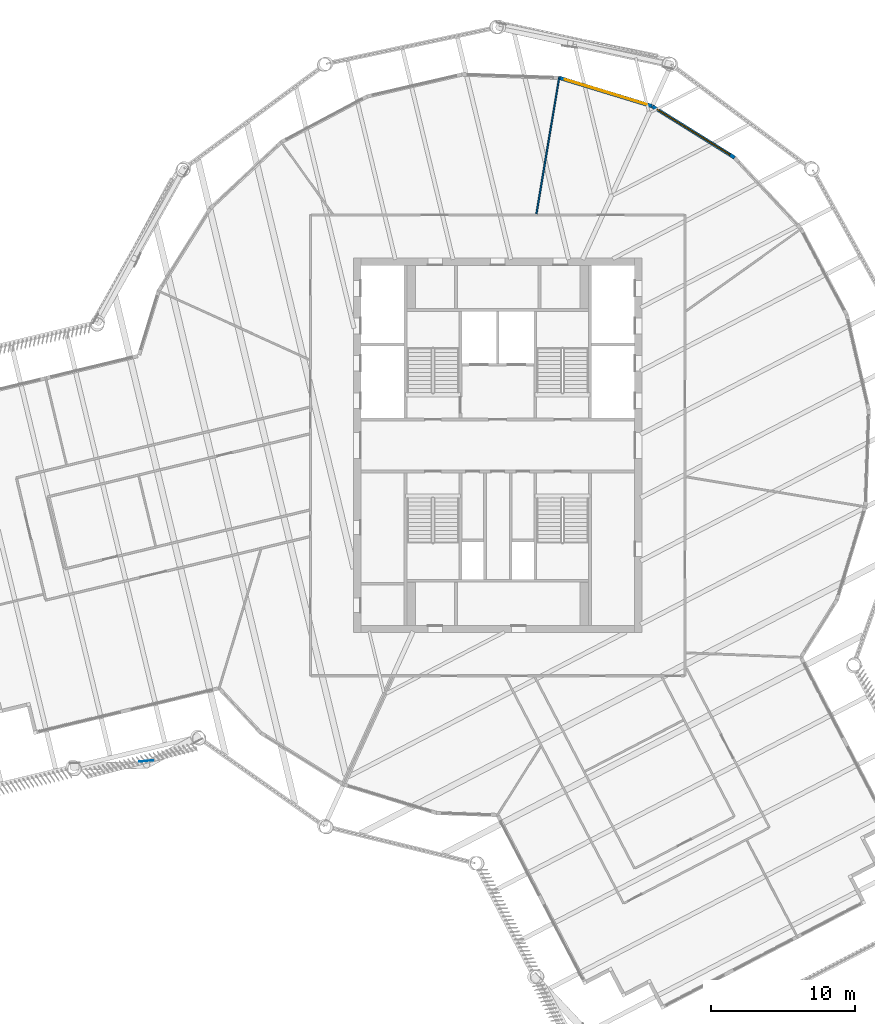
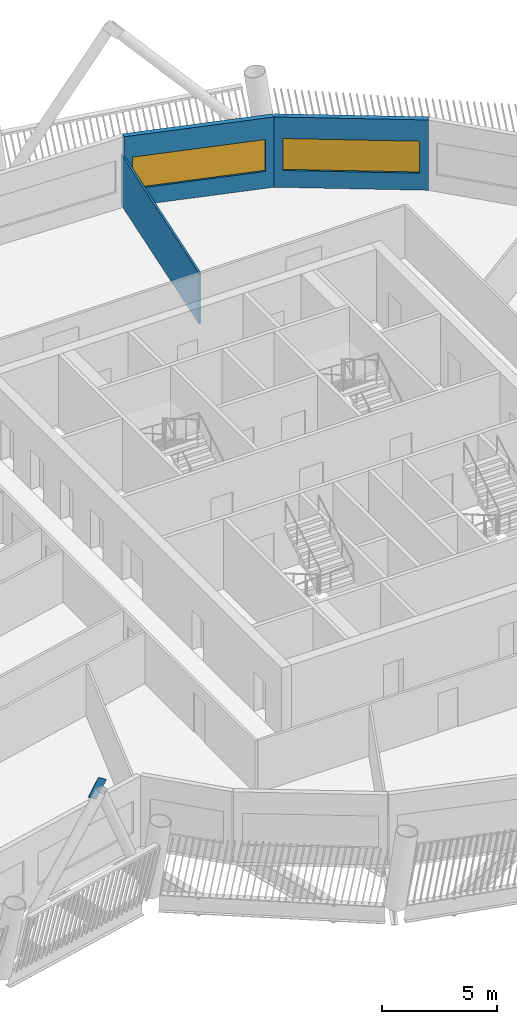
# One storey, part 7 of 22: 3 walls, 2 windows, 1 discrete accessory, 2 openings.
"""IFC4 building model written with IfcOpenShell, lengths in metres."""

import ifcopenshell
import ifcopenshell.guid

model = None  # the IFC model being written
_history = None  # IfcOwnerHistory: only IFC2X3 demands one
_inside = {}  # id of a spatial element -> (the spatial element, [elements in it])
_under = {}  # id of a project, library or spatial element -> (it, [spatial elements below it])
_declared = {}  # id of a project -> (the project, [libraries it declares])
_typed = {}  # id of a type object -> (the type object, [elements of that type])
_made_of = {}  # id of a material, layer set ... -> (it, [elements and type objects made of it])


def new_model(schema):
    """Start an empty IFC model of exactly this schema.

    Asked for "IFC4X3", IfcOpenShell would pick the latest addendum, in which some entities
    have other attributes; the version numbers below select the first issue.
    IFC2X3 requires an IfcOwnerHistory on every rooted entity: one is made here for all.
    """
    global model, _history
    if schema == "IFC4X3":
        model = ifcopenshell.file(schema_version=(4, 3, 0, 0))
    else:
        model = ifcopenshell.file(schema=schema)
    _inside.clear()
    _under.clear()
    _declared.clear()
    _typed.clear()
    _made_of.clear()
    _history = None
    if model.schema == "IFC2X3":
        org = make("IfcOrganization", Name="unknown")
        user = make(
            "IfcPersonAndOrganization",
            ThePerson=make("IfcPerson", FamilyName="unknown"),
            TheOrganization=org,
        )
        app = make(
            "IfcApplication",
            ApplicationDeveloper=org,
            Version="unknown",
            ApplicationFullName="unknown",
            ApplicationIdentifier="unknown",
        )
        _history = make(
            "IfcOwnerHistory",
            OwningUser=user,
            OwningApplication=app,
            ChangeAction="ADDED",
            CreationDate=0,
        )
    return model


def make(cls, **values):
    """One entity of the class cls with the attributes given. An attribute that is None is left unset."""
    return model.create_entity(
        cls, **{name: value for name, value in values.items() if value is not None}
    )


def rooted(cls, **values):
    """An entity with a GlobalId (a new one), such as an element, a storey or a relation."""
    return make(cls, GlobalId=ifcopenshell.guid.new(), OwnerHistory=_history, **values)


def si_unit(unit_type, name, prefix=None):
    """IfcSIUnit, for example si_unit("LENGTHUNIT", "METRE", prefix="MILLI")."""
    return make("IfcSIUnit", UnitType=unit_type, Prefix=prefix, Name=name)


def assignment(units):
    """IfcUnitAssignment: the units of a project."""
    return None if units is None else make("IfcUnitAssignment", Units=units)


def point(xyz):
    """IfcCartesianPoint."""
    return None if xyz is None else make("IfcCartesianPoint", Coordinates=xyz)


def direction(xyz):
    """IfcDirection."""
    return None if xyz is None else make("IfcDirection", DirectionRatios=xyz)


def frame(location, z_axis=None, x_axis=None):
    """IfcAxis2Placement3D, a coordinate frame: its origin and axes. An axis left out is left unset."""
    return make(
        "IfcAxis2Placement3D",
        Location=point(location),
        Axis=direction(z_axis),
        RefDirection=direction(x_axis),
    )


def frame_2d(location, x_axis=None):
    """IfcAxis2Placement2D, a coordinate frame in the plane: its origin and x axis."""
    return make(
        "IfcAxis2Placement2D", Location=point(location), RefDirection=direction(x_axis)
    )


def origin():
    """The frame at (0, 0, 0) with its axes left unset."""
    return frame((0.0, 0.0, 0.0))


def origin_2d():
    """The frame at (0, 0) in the plane with its x axis left unset."""
    return frame_2d((0.0, 0.0))


def place(relative_to, where):
    """IfcLocalPlacement: puts the frame where relative to a parent placement (None: the world)."""
    return make(
        "IfcLocalPlacement", PlacementRelTo=relative_to, RelativePlacement=where
    )


def context(
    kind, dimensions, precision=None, world=None, true_north=None, identifier=None
):
    """IfcGeometricRepresentationContext, for example the 3D "Model" context."""
    return make(
        "IfcGeometricRepresentationContext",
        ContextIdentifier=identifier,
        ContextType=kind,
        CoordinateSpaceDimension=dimensions,
        Precision=precision,
        WorldCoordinateSystem=world,
        TrueNorth=true_north,
    )


def subcontext(parent, identifier, kind, view, scale=None):
    """IfcGeometricRepresentationSubContext, for example "Body" below "Model"."""
    return make(
        "IfcGeometricRepresentationSubContext",
        ContextIdentifier=identifier,
        ContextType=kind,
        ParentContext=parent,
        TargetScale=scale,
        TargetView=view,
    )


def project(units=None, contexts=None):
    """IfcProject with its units and contexts."""
    return rooted(
        "IfcProject",
        Name="project",
        RepresentationContexts=contexts,
        UnitsInContext=assignment(units),
    )


def spatial(cls, under=None, at=None, **own):
    """A site, building, storey or space (cls), placed at a placement, below another one or the project."""
    s = rooted(cls, ObjectPlacement=at, **own)
    if under is not None:
        _under.setdefault(under.id(), (under, []))[1].append(s)
    return s


def profile(cls, at=None, kind="AREA", **sizes):
    """A parametric profile (cls). Its sizes go by their IFC names, for example OverallWidth=200.0."""
    return make(cls, ProfileType=kind, Position=at, **sizes)


def rectangle(**sizes):
    """IfcRectangleProfileDef."""
    return profile("IfcRectangleProfileDef", **sizes)


def extrude(swept, where, along, depth):
    """IfcExtrudedAreaSolid: the profile swept, set in the frame where, extruded along a direction by depth."""
    return make(
        "IfcExtrudedAreaSolid",
        SweptArea=swept,
        Position=where,
        ExtrudedDirection=direction(along),
        Depth=depth,
    )


def shape(context_of_items, identifier, shape_type, items):
    """IfcShapeRepresentation: the items that make up one representation, for example the "Body"."""
    return make(
        "IfcShapeRepresentation",
        ContextOfItems=context_of_items,
        RepresentationIdentifier=identifier,
        RepresentationType=shape_type,
        Items=items,
    )


def material(Name=None, Category=None):
    """IfcMaterial."""
    return make("IfcMaterial", Name=Name, Category=Category)


def layer(
    of_material, thickness, ventilated=None, Name=None, Category=None, Priority=None
):
    """IfcMaterialLayer: one layer of a wall or slab, of a material (None: an air gap)."""
    return make(
        "IfcMaterialLayer",
        Material=of_material,
        LayerThickness=thickness,
        IsVentilated=ventilated,
        Name=Name,
        Category=Category,
        Priority=Priority,
    )


def layer_set(layers, Name=None):
    """IfcMaterialLayerSet."""
    return make("IfcMaterialLayerSet", MaterialLayers=layers, LayerSetName=Name)


def material_profile(
    of_material, cross_section, Name=None, Category=None, Priority=None
):
    """IfcMaterialProfile: a cross section and its material."""
    return make(
        "IfcMaterialProfile",
        Name=Name,
        Material=of_material,
        Profile=cross_section,
        Priority=Priority,
        Category=Category,
    )


def profile_set(profiles, Name=None, composite=None):
    """IfcMaterialProfileSet."""
    return make(
        "IfcMaterialProfileSet",
        Name=Name,
        MaterialProfiles=profiles,
        CompositeProfile=composite,
    )


def made_of(thing, what):
    """Note that an element or type object is made of a material, layer set ...; save() writes the relation."""
    if what is not None:
        _made_of.setdefault(what.id(), (what, []))[1].append(thing)
    return thing


def type_object(cls, material=None, **own):
    """A type object (cls), such as IfcWallType, which elements share."""
    return made_of(rooted(cls, **own), material)


def element(
    cls,
    number,
    at=None,
    inside=None,
    cuts=None,
    type_object=None,
    material=None,
    context=None,
    identifier="Body",
    shape_type=None,
    held_by="IfcProductDefinitionShape",
    body=None,
    shapes=None,
    **own,
):
    """One element of the class cls, such as IfcWall. Its Tag is "e" and its number.

    at: its placement. inside: the storey or other place that contains it. cuts: it is an
    opening in that element (IfcRelVoidsElement). A single representation is given by context,
    identifier, shape_type and body (its items); several are given by shapes. held_by: the class
    of the entity that holds the representations. save() writes the other relations.
    """
    e = rooted(cls, Tag="e%d" % number, ObjectPlacement=at, **own)
    if body is not None:
        shapes = [shape(context, identifier, shape_type, body)]
    if shapes is not None:
        e.Representation = make(held_by, Representations=shapes)
    if inside is not None:
        _inside.setdefault(inside.id(), (inside, []))[1].append(e)
    if cuts is not None:
        rooted(
            "IfcRelVoidsElement", RelatingBuildingElement=cuts, RelatedOpeningElement=e
        )
    if type_object is not None:
        _typed.setdefault(type_object.id(), (type_object, []))[1].append(e)
    return made_of(e, material)


def fill(opening, filler):
    """IfcRelFillsElement: the door or window that sits in an opening."""
    return rooted(
        "IfcRelFillsElement",
        RelatingOpeningElement=opening,
        RelatedBuildingElement=filler,
    )


def aggregate(whole, parts):
    """IfcRelAggregates: a whole, such as a stair, and the parts it consists of."""
    return rooted("IfcRelAggregates", RelatingObject=whole, RelatedObjects=parts)


def save(model, path):
    """Write the relations noted so far, then the file.

    IfcRelAggregates (storeys below a building ...), IfcRelContainedInSpatialStructure (elements
    in a storey), IfcRelDefinesByType, IfcRelAssociatesMaterial and IfcRelDeclares: one each for
    every whole, place, type object, material and project.
    """
    for whole, parts in _under.values():
        aggregate(whole, parts)
    for where, things in _inside.values():
        rooted(
            "IfcRelContainedInSpatialStructure",
            RelatedElements=things,
            RelatingStructure=where,
        )
    for kind, things in _typed.values():
        rooted("IfcRelDefinesByType", RelatedObjects=things, RelatingType=kind)
    for what, things in _made_of.values():
        rooted("IfcRelAssociatesMaterial", RelatedObjects=things, RelatingMaterial=what)
    for by, libraries in _declared.values():
        rooted("IfcRelDeclares", RelatingContext=by, RelatedDefinitions=libraries)
    model.write(path)


model = new_model("IFC4")

# Units and contexts
model_context = context("Model", 3, precision=1e-05, world=origin(), true_north=direction((0.0, 1.0)))
body_context = subcontext(model_context, "Body", "Model", "MODEL_VIEW")
ifc_project = project(units=[si_unit("LENGTHUNIT", "METRE"), si_unit("AREAUNIT", "SQUARE_METRE"), si_unit("VOLUMEUNIT", "CUBIC_METRE"), si_unit("PLANEANGLEUNIT", "RADIAN"), si_unit("MASSUNIT", "GRAM", prefix="KILO")], contexts=[model_context])

# Site, building, storey
site_placement = place(None, origin())
site = spatial("IfcSite", under=ifc_project, at=site_placement, CompositionType="ELEMENT")
building_placement = place(site_placement, origin())
building = spatial("IfcBuilding", under=site, at=building_placement, Name="Tarsis Ring Headquarters", CompositionType="ELEMENT")
storey_placement = place(building_placement, frame((0.0, 0.0, 339.199951171875)))
storey = spatial("IfcBuildingStorey", under=building, at=storey_placement, Name="L80", CompositionType="ELEMENT", Elevation=339.199951171875)

# Wall
ifc_material_1 = material(Name="Gypsum board on steel studs", Category="steel")
ifc_layer_1 = layer(ifc_material_1, 0.10009765625)
ifc_layer_set_1 = layer_set([ifc_layer_1], Name="FL partition 100 unrated")
wall_type_1 = type_object("IfcWallType", Name="FL partition 100 unrated", PredefinedType="PARTITIONING", material=ifc_layer_set_1)
wall_1_placement = place(storey_placement, frame((2.683349609375, 16.069091796875, 0.0), z_axis=(0.0, 0.0, 1.0), x_axis=(0.164694177334, 0.986344680095, 0.0)))
element("IfcWall", 1, at=wall_1_placement, inside=storey, type_object=wall_type_1, Name="Partition PW3", PredefinedType="PARTITIONING", context=body_context, shape_type="SweptSolid", body=[
    extrude(rectangle(XDim=9.65625, YDim=0.10009765625, at=frame_2d((4.828125, 0.0))), origin(), (0.0, 0.0, 1.0), 2.699951171875),
])

# Wall, opening, window
ifc_material_2 = material(Name="Terracotta clad insulated panel wall", Category="masonry")
ifc_layer_2 = layer(ifc_material_2, 0.25)
ifc_layer_set_2 = layer_set([ifc_layer_2], Name="Facade wall terracotta panel 250")
wall_type_2 = type_object("IfcWallType", Name="Facade wall terracotta panel 250", PredefinedType="STANDARD", material=ifc_layer_set_2)
wall_2_placement = place(storey_placement, frame((16.43701171875, 19.9794921875, 0.0), z_axis=(0.0, 0.0, 1.0), x_axis=(-0.848236966314, 0.529616888872, 0.0)))
wall_2 = element("IfcWall", 2, at=wall_2_placement, inside=storey, type_object=wall_type_2, Name="External wall L80-23", PredefinedType="STANDARD", context=body_context, shape_type="SweptSolid", body=[
    extrude(rectangle(XDim=6.721435546875, YDim=0.25, at=frame_2d((3.36083984375, 0.0))), origin(), (0.0, 0.0, 1.0), 3.739990234375),
])
opening_1_placement = place(wall_2_placement, frame((0.3857421875, 0.0, 0.89990234375)))
opening_1 = element("IfcOpeningElement", 3, at=opening_1_placement, cuts=wall_2, Name="Opening WN07", PredefinedType="OPENING", context=body_context, shape_type="SweptSolid", body=[
    extrude(rectangle(XDim=5.949951171875, YDim=1.699951171875, at=frame_2d((2.97509765625, 0.85009765625))), frame((0.0, 0.135009765625, 0.0), z_axis=(0.0, -1.0, 0.0), x_axis=(1.0, 0.0, 0.0)), (0.0, 0.0, 1.0), 0.27001953125),
])
ifc_material_3 = material(Name="Aluminium framed double glazing", Category="aluminium")
window_type = type_object("IfcWindowType", Name="Facade window 5950 x 1700", PartitioningType="SINGLE_PANEL", PredefinedType="WINDOW", material=ifc_material_3)
window_1_placement = place(opening_1_placement, origin())
window_1 = element("IfcWindow", 4, at=window_1_placement, inside=storey, type_object=window_type, Name="Window L80-23.1", OverallHeight=1.699951171875, OverallWidth=5.949951171875, PartitioningType="SINGLE_PANEL", PredefinedType="WINDOW", context=body_context, shape_type="SweptSolid", body=[
    extrude(rectangle(XDim=5.949951171875, YDim=1.699951171875, at=frame_2d((2.97509765625, 0.85009765625))), frame((0.0, 0.030029296875, 0.0), z_axis=(0.0, -1.0, 0.0), x_axis=(1.0, 0.0, 0.0)), (0.0, 0.0, 1.0), 0.06005859375),
])
fill(opening_1, window_1)

wall_3_placement = place(storey_placement, frame((10.705810546875, 23.552734375, 0.0), z_axis=(0.0, 0.0, 1.0), x_axis=(-0.956398083046, 0.292066271155, 0.0)))
wall_3 = element("IfcWall", 5, at=wall_3_placement, inside=storey, type_object=wall_type_2, Name="External wall L80-24", PredefinedType="STANDARD", context=body_context, shape_type="SweptSolid", body=[
    extrude(rectangle(XDim=6.721435546875, YDim=0.25, at=frame_2d((3.36083984375, 0.0))), origin(), (0.0, 0.0, 1.0), 3.739990234375),
])
opening_2_placement = place(wall_3_placement, frame((0.3857421875, 0.0, 0.89990234375)))
opening_2 = element("IfcOpeningElement", 6, at=opening_2_placement, cuts=wall_3, Name="Opening WN07", PredefinedType="OPENING", context=body_context, shape_type="SweptSolid", body=[
    extrude(rectangle(XDim=5.949951171875, YDim=1.699951171875, at=frame_2d((2.97509765625, 0.85009765625))), frame((0.0, 0.135009765625, 0.0), z_axis=(0.0, -1.0, 0.0), x_axis=(1.0, 0.0, 0.0)), (0.0, 0.0, 1.0), 0.27001953125),
])
window_2_placement = place(opening_2_placement, origin())
window_2 = element("IfcWindow", 7, at=window_2_placement, inside=storey, type_object=window_type, Name="Window L80-24.1", OverallHeight=1.699951171875, OverallWidth=5.949951171875, PartitioningType="SINGLE_PANEL", PredefinedType="WINDOW", context=body_context, shape_type="SweptSolid", body=[
    extrude(rectangle(XDim=5.949951171875, YDim=1.699951171875, at=frame_2d((2.97509765625, 0.85009765625))), frame((0.0, 0.030029296875, 0.0), z_axis=(0.0, -1.0, 0.0), x_axis=(1.0, 0.0, 0.0)), (0.0, 0.0, 1.0), 0.06005859375),
])
fill(opening_2, window_2)

# Discrete accessory
ifc_material_4 = material(Name="Structural steel S355", Category="steel")
ifc_material_profile = material_profile(ifc_material_4, rectangle(XDim=0.02490234375, YDim=0.5, at=origin_2d()), Name="PL 25x500")
ifc_profile_set = profile_set([ifc_material_profile], Name="Structural steel S355")
discrete_accessory_type = type_object("IfcDiscreteAccessoryType", Name="Gusset plate Exo brace 25", PredefinedType="BRACKET", material=ifc_profile_set)
discrete_accessory_placement = place(storey_placement, frame((-24.678955078125, -21.93408203125, 7.381103515625), z_axis=(0.543605903798, 0.051748743424, 0.837743808637), x_axis=(-0.094766902487, 0.995499489801, 0.0)))
element("IfcDiscreteAccessory", 8, at=discrete_accessory_placement, inside=storey, type_object=discrete_accessory_type, Name="Gusset plate GP5", PredefinedType="BRACKET", context=body_context, shape_type="SweptSolid", body=[
    extrude(rectangle(XDim=0.02490234375, YDim=0.5, at=origin_2d()), origin(), (0.0, 0.0, 1.0), 1.000244140625),
])

save(model, "model.ifc")
